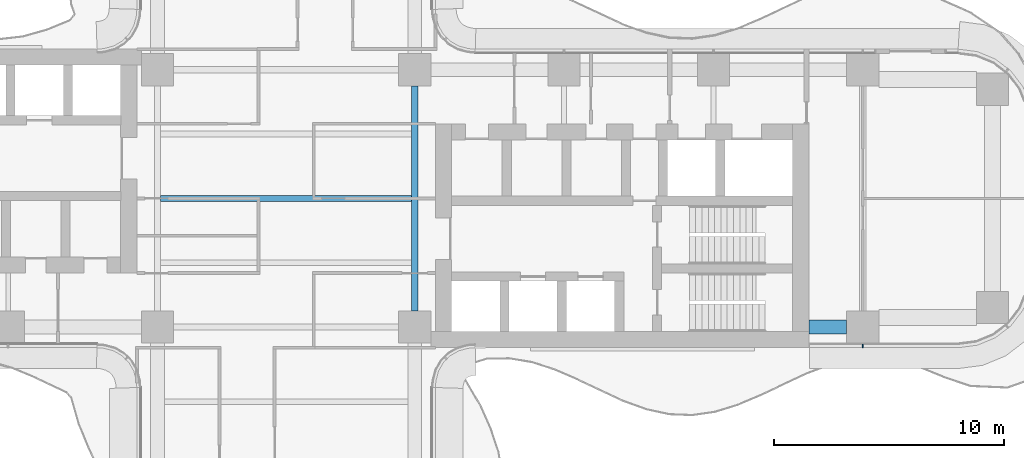
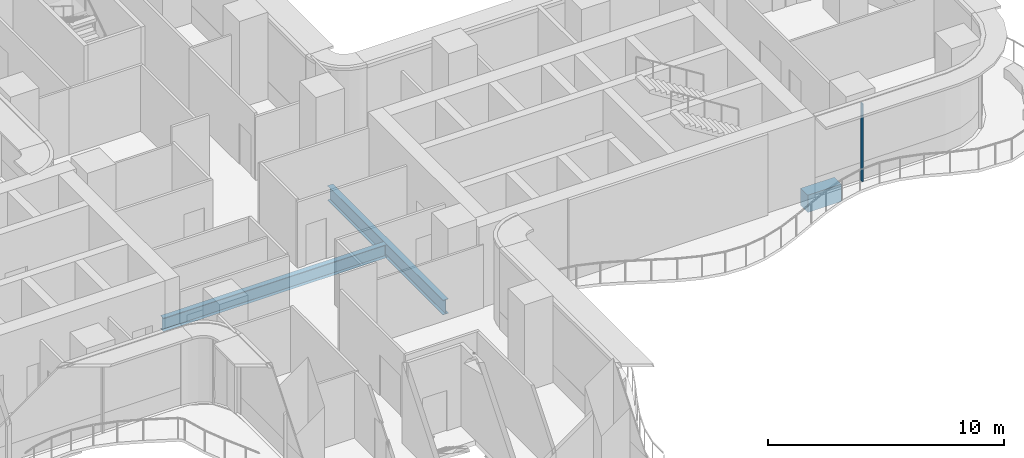
# One storey, part 6 of 22: 3 beams, 1 member, 1 element without a shape of its own.
"""IFC4 building model written with IfcOpenShell, lengths in metres."""

import ifcopenshell
import ifcopenshell.guid

model = None  # the IFC model being written
_history = None  # IfcOwnerHistory: only IFC2X3 demands one
_inside = {}  # id of a spatial element -> (the spatial element, [elements in it])
_under = {}  # id of a project, library or spatial element -> (it, [spatial elements below it])
_declared = {}  # id of a project -> (the project, [libraries it declares])
_typed = {}  # id of a type object -> (the type object, [elements of that type])
_made_of = {}  # id of a material, layer set ... -> (it, [elements and type objects made of it])


def new_model(schema):
    """Start an empty IFC model of exactly this schema.

    Asked for "IFC4X3", IfcOpenShell would pick the latest addendum, in which some entities
    have other attributes; the version numbers below select the first issue.
    IFC2X3 requires an IfcOwnerHistory on every rooted entity: one is made here for all.
    """
    global model, _history
    if schema == "IFC4X3":
        model = ifcopenshell.file(schema_version=(4, 3, 0, 0))
    else:
        model = ifcopenshell.file(schema=schema)
    _inside.clear()
    _under.clear()
    _declared.clear()
    _typed.clear()
    _made_of.clear()
    _history = None
    if model.schema == "IFC2X3":
        org = make("IfcOrganization", Name="unknown")
        user = make(
            "IfcPersonAndOrganization",
            ThePerson=make("IfcPerson", FamilyName="unknown"),
            TheOrganization=org,
        )
        app = make(
            "IfcApplication",
            ApplicationDeveloper=org,
            Version="unknown",
            ApplicationFullName="unknown",
            ApplicationIdentifier="unknown",
        )
        _history = make(
            "IfcOwnerHistory",
            OwningUser=user,
            OwningApplication=app,
            ChangeAction="ADDED",
            CreationDate=0,
        )
    return model


def make(cls, **values):
    """One entity of the class cls with the attributes given. An attribute that is None is left unset."""
    return model.create_entity(
        cls, **{name: value for name, value in values.items() if value is not None}
    )


def rooted(cls, **values):
    """An entity with a GlobalId (a new one), such as an element, a storey or a relation."""
    return make(cls, GlobalId=ifcopenshell.guid.new(), OwnerHistory=_history, **values)


def si_unit(unit_type, name, prefix=None):
    """IfcSIUnit, for example si_unit("LENGTHUNIT", "METRE", prefix="MILLI")."""
    return make("IfcSIUnit", UnitType=unit_type, Prefix=prefix, Name=name)


def assignment(units):
    """IfcUnitAssignment: the units of a project."""
    return None if units is None else make("IfcUnitAssignment", Units=units)


def point(xyz):
    """IfcCartesianPoint."""
    return None if xyz is None else make("IfcCartesianPoint", Coordinates=xyz)


def direction(xyz):
    """IfcDirection."""
    return None if xyz is None else make("IfcDirection", DirectionRatios=xyz)


def frame(location, z_axis=None, x_axis=None):
    """IfcAxis2Placement3D, a coordinate frame: its origin and axes. An axis left out is left unset."""
    return make(
        "IfcAxis2Placement3D",
        Location=point(location),
        Axis=direction(z_axis),
        RefDirection=direction(x_axis),
    )


def frame_2d(location, x_axis=None):
    """IfcAxis2Placement2D, a coordinate frame in the plane: its origin and x axis."""
    return make(
        "IfcAxis2Placement2D", Location=point(location), RefDirection=direction(x_axis)
    )


def origin():
    """The frame at (0, 0, 0) with its axes left unset."""
    return frame((0.0, 0.0, 0.0))


def origin_2d():
    """The frame at (0, 0) in the plane with its x axis left unset."""
    return frame_2d((0.0, 0.0))


def place(relative_to, where):
    """IfcLocalPlacement: puts the frame where relative to a parent placement (None: the world)."""
    return make(
        "IfcLocalPlacement", PlacementRelTo=relative_to, RelativePlacement=where
    )


def context(
    kind, dimensions, precision=None, world=None, true_north=None, identifier=None
):
    """IfcGeometricRepresentationContext, for example the 3D "Model" context."""
    return make(
        "IfcGeometricRepresentationContext",
        ContextIdentifier=identifier,
        ContextType=kind,
        CoordinateSpaceDimension=dimensions,
        Precision=precision,
        WorldCoordinateSystem=world,
        TrueNorth=true_north,
    )


def subcontext(parent, identifier, kind, view, scale=None):
    """IfcGeometricRepresentationSubContext, for example "Body" below "Model"."""
    return make(
        "IfcGeometricRepresentationSubContext",
        ContextIdentifier=identifier,
        ContextType=kind,
        ParentContext=parent,
        TargetScale=scale,
        TargetView=view,
    )


def project(units=None, contexts=None):
    """IfcProject with its units and contexts."""
    return rooted(
        "IfcProject",
        Name="project",
        RepresentationContexts=contexts,
        UnitsInContext=assignment(units),
    )


def spatial(cls, under=None, at=None, **own):
    """A site, building, storey or space (cls), placed at a placement, below another one or the project."""
    s = rooted(cls, ObjectPlacement=at, **own)
    if under is not None:
        _under.setdefault(under.id(), (under, []))[1].append(s)
    return s


def profile(cls, at=None, kind="AREA", **sizes):
    """A parametric profile (cls). Its sizes go by their IFC names, for example OverallWidth=200.0."""
    return make(cls, ProfileType=kind, Position=at, **sizes)


def rectangle(**sizes):
    """IfcRectangleProfileDef."""
    return profile("IfcRectangleProfileDef", **sizes)


def i_section(**sizes):
    """IfcIShapeProfileDef."""
    return profile("IfcIShapeProfileDef", **sizes)


def extrude(swept, where, along, depth):
    """IfcExtrudedAreaSolid: the profile swept, set in the frame where, extruded along a direction by depth."""
    return make(
        "IfcExtrudedAreaSolid",
        SweptArea=swept,
        Position=where,
        ExtrudedDirection=direction(along),
        Depth=depth,
    )


def shape(context_of_items, identifier, shape_type, items):
    """IfcShapeRepresentation: the items that make up one representation, for example the "Body"."""
    return make(
        "IfcShapeRepresentation",
        ContextOfItems=context_of_items,
        RepresentationIdentifier=identifier,
        RepresentationType=shape_type,
        Items=items,
    )


def source(mapping_origin, context_of_items, identifier, shape_type, items):
    """IfcRepresentationMap: a shape defined once, which mapped items show again and again."""
    return make(
        "IfcRepresentationMap",
        MappingOrigin=mapping_origin,
        MappedRepresentation=shape(context_of_items, identifier, shape_type, items),
    )


def transform(
    local_origin,
    x_axis=None,
    y_axis=None,
    z_axis=None,
    scale=None,
    scale2=None,
    scale3=None,
    uniform=True,
):
    """IfcCartesianTransformationOperator3D, or its non-uniform kind. x_axis, y_axis, z_axis: its Axis1, 2, 3."""
    if uniform:
        return make(
            "IfcCartesianTransformationOperator3D",
            Axis1=direction(x_axis),
            Axis2=direction(y_axis),
            LocalOrigin=point(local_origin),
            Scale=scale,
            Axis3=direction(z_axis),
        )
    return make(
        "IfcCartesianTransformationOperator3DnonUniform",
        Axis1=direction(x_axis),
        Axis2=direction(y_axis),
        LocalOrigin=point(local_origin),
        Scale=scale,
        Axis3=direction(z_axis),
        Scale2=scale2,
        Scale3=scale3,
    )


def mapped(mapping_source, mapping_target):
    """IfcMappedItem: shows the shape of a source again, moved by a transform."""
    return make(
        "IfcMappedItem", MappingSource=mapping_source, MappingTarget=mapping_target
    )


def material(Name=None, Category=None):
    """IfcMaterial."""
    return make("IfcMaterial", Name=Name, Category=Category)


def layer(
    of_material, thickness, ventilated=None, Name=None, Category=None, Priority=None
):
    """IfcMaterialLayer: one layer of a wall or slab, of a material (None: an air gap)."""
    return make(
        "IfcMaterialLayer",
        Material=of_material,
        LayerThickness=thickness,
        IsVentilated=ventilated,
        Name=Name,
        Category=Category,
        Priority=Priority,
    )


def layer_set(layers, Name=None):
    """IfcMaterialLayerSet."""
    return make("IfcMaterialLayerSet", MaterialLayers=layers, LayerSetName=Name)


def material_profile(
    of_material, cross_section, Name=None, Category=None, Priority=None
):
    """IfcMaterialProfile: a cross section and its material."""
    return make(
        "IfcMaterialProfile",
        Name=Name,
        Material=of_material,
        Profile=cross_section,
        Priority=Priority,
        Category=Category,
    )


def profile_set(profiles, Name=None, composite=None):
    """IfcMaterialProfileSet."""
    return make(
        "IfcMaterialProfileSet",
        Name=Name,
        MaterialProfiles=profiles,
        CompositeProfile=composite,
    )


def made_of(thing, what):
    """Note that an element or type object is made of a material, layer set ...; save() writes the relation."""
    if what is not None:
        _made_of.setdefault(what.id(), (what, []))[1].append(thing)
    return thing


def type_object(cls, material=None, **own):
    """A type object (cls), such as IfcWallType, which elements share."""
    return made_of(rooted(cls, **own), material)


def element(
    cls,
    number,
    at=None,
    inside=None,
    cuts=None,
    type_object=None,
    material=None,
    context=None,
    identifier="Body",
    shape_type=None,
    held_by="IfcProductDefinitionShape",
    body=None,
    shapes=None,
    **own,
):
    """One element of the class cls, such as IfcWall. Its Tag is "e" and its number.

    at: its placement. inside: the storey or other place that contains it. cuts: it is an
    opening in that element (IfcRelVoidsElement). A single representation is given by context,
    identifier, shape_type and body (its items); several are given by shapes. held_by: the class
    of the entity that holds the representations. save() writes the other relations.
    """
    e = rooted(cls, Tag="e%d" % number, ObjectPlacement=at, **own)
    if body is not None:
        shapes = [shape(context, identifier, shape_type, body)]
    if shapes is not None:
        e.Representation = make(held_by, Representations=shapes)
    if inside is not None:
        _inside.setdefault(inside.id(), (inside, []))[1].append(e)
    if cuts is not None:
        rooted(
            "IfcRelVoidsElement", RelatingBuildingElement=cuts, RelatedOpeningElement=e
        )
    if type_object is not None:
        _typed.setdefault(type_object.id(), (type_object, []))[1].append(e)
    return made_of(e, material)


def aggregate(whole, parts):
    """IfcRelAggregates: a whole, such as a stair, and the parts it consists of."""
    return rooted("IfcRelAggregates", RelatingObject=whole, RelatedObjects=parts)


def save(model, path):
    """Write the relations noted so far, then the file.

    IfcRelAggregates (storeys below a building ...), IfcRelContainedInSpatialStructure (elements
    in a storey), IfcRelDefinesByType, IfcRelAssociatesMaterial and IfcRelDeclares: one each for
    every whole, place, type object, material and project.
    """
    for whole, parts in _under.values():
        aggregate(whole, parts)
    for where, things in _inside.values():
        rooted(
            "IfcRelContainedInSpatialStructure",
            RelatedElements=things,
            RelatingStructure=where,
        )
    for kind, things in _typed.values():
        rooted("IfcRelDefinesByType", RelatedObjects=things, RelatingType=kind)
    for what, things in _made_of.values():
        rooted("IfcRelAssociatesMaterial", RelatedObjects=things, RelatingMaterial=what)
    for by, libraries in _declared.values():
        rooted("IfcRelDeclares", RelatingContext=by, RelatedDefinitions=libraries)
    model.write(path)


model = new_model("IFC4")

# Units and contexts
model_context = context("Model", 3, precision=1e-05, world=origin(), true_north=direction((0.0, 1.0)))
body_context = subcontext(model_context, "Body", "Model", "MODEL_VIEW")
ifc_project = project(units=[si_unit("LENGTHUNIT", "METRE"), si_unit("AREAUNIT", "SQUARE_METRE"), si_unit("VOLUMEUNIT", "CUBIC_METRE"), si_unit("PLANEANGLEUNIT", "RADIAN"), si_unit("MASSUNIT", "GRAM", prefix="KILO")], contexts=[model_context])

# Site, building, storey
site_placement = place(None, origin())
site = spatial("IfcSite", under=ifc_project, at=site_placement, CompositionType="ELEMENT")
building_placement = place(site_placement, origin())
building = spatial("IfcBuilding", under=site, at=building_placement, Name="Trellis Farm Tower", CompositionType="ELEMENT")
storey_placement = place(building_placement, frame((0.0, 0.0, 88.0)))
storey = spatial("IfcBuildingStorey", under=building, at=storey_placement, Name="L18", CompositionType="ELEMENT", Elevation=88.0)

# Beams
ifc_material_1 = material(Name="Steel S355", Category="steel")
ifc_material_profile_1 = material_profile(ifc_material_1, i_section(OverallWidth=0.253662109375, OverallDepth=0.68359375, WebThickness=0.012451171875, FlangeThickness=0.021728515625, FilletRadius=0.01513671875, at=origin_2d()), Name="UB 686x254x140")
ifc_profile_set_1 = profile_set([ifc_material_profile_1], Name="Steel S355")
beam_type_1 = type_object("IfcBeamType", Name="UB 686x254x140 joist", PredefinedType="JOIST", material=ifc_profile_set_1)
shared_shape_1 = source(origin(), body_context, "Body", "SweptSolid", [
    extrude(i_section(OverallWidth=0.253662109375, OverallDepth=0.68359375, WebThickness=0.012451171875, FlangeThickness=0.021728515625, FilletRadius=0.01513671875, at=origin_2d()), origin(), (0.0, 0.0, 1.0), 10.93310546875),
])
beam_1_placement = place(storey_placement, frame((-5.466552734375, 0.0, -0.591796875), z_axis=(1.0, 0.0, 0.0), x_axis=(0.0, 1.0, 0.0)))
element("IfcBeam", 1, at=beam_1_placement, inside=storey, type_object=beam_type_1, Name="Floor beam", PredefinedType="JOIST", context=body_context, shape_type="MappedRepresentation", body=[
    mapped(shared_shape_1, transform((0.0, 0.0, 0.0))),
])
ifc_material_profile_2 = material_profile(ifc_material_1, i_section(OverallWidth=0.2666015625, OverallDepth=0.76220703125, WebThickness=0.014404296875, FlangeThickness=0.021484375, FilletRadius=0.0166015625, at=origin_2d()), Name="UB 762x267x173")
ifc_profile_set_2 = profile_set([ifc_material_profile_2], Name="Steel S355")
beam_type_2 = type_object("IfcBeamType", Name="UB 762x267x173", PredefinedType="BEAM", material=ifc_profile_set_2)
shared_shape_2 = source(origin(), body_context, "Body", "SweptSolid", [
    extrude(i_section(OverallWidth=0.2666015625, OverallDepth=0.76220703125, WebThickness=0.014404296875, FlangeThickness=0.021484375, FilletRadius=0.0166015625, at=origin_2d()), origin(), (0.0, 0.0, 1.0), 9.7998046875),
])
beam_2_placement = place(storey_placement, frame((5.60009765625, -4.89990234375, -0.631103515625), z_axis=(0.0, 1.0, 0.0), x_axis=(-1.0, 0.0, 0.0)))
element("IfcBeam", 2, at=beam_2_placement, inside=storey, type_object=beam_type_2, Name="Girder", PredefinedType="BEAM", context=body_context, shape_type="MappedRepresentation", body=[
    mapped(shared_shape_2, transform((0.0, 0.0, 0.0))),
])
ifc_material_2 = material(Name="Concrete C60/75", Category="concrete")
ifc_material_profile_3 = material_profile(ifc_material_2, rectangle(XDim=0.60009765625, YDim=0.89990234375, at=origin_2d()), Name="RC spandrel beam 600x900 C60/75")
ifc_profile_set_3 = profile_set([ifc_material_profile_3], Name="Concrete C60/75")
beam_type_3 = type_object("IfcBeamType", Name="RC spandrel beam 600x900 C60/75", PredefinedType="SPANDREL", material=ifc_profile_set_3)
shared_shape_3 = source(origin(), body_context, "Body", "SweptSolid", [
    extrude(rectangle(XDim=0.60009765625, YDim=0.89990234375, at=origin_2d()), origin(), (0.0, 0.0, 1.0), 1.64990234375),
])
beam_3_placement = place(storey_placement, frame((22.75, -5.60009765625, -0.699951171875), z_axis=(1.0, 0.0, 0.0), x_axis=(0.0, 1.0, 0.0)))
element("IfcBeam", 3, at=beam_3_placement, inside=storey, type_object=beam_type_3, Name="Girder", PredefinedType="SPANDREL", context=body_context, shape_type="MappedRepresentation", body=[
    mapped(shared_shape_3, transform((0.0, 0.0, 0.0))),
])

# Curtain wall, member
ifc_material_3 = material(Name="Aluminium and glass curtain wall", Category="aluminium")
ifc_layer = layer(ifc_material_3, 0.18994140625)
ifc_layer_set = layer_set([ifc_layer], Name="RIBBON CURTAIN WALL CW1")
curtain_wall_type = type_object("IfcCurtainWallType", Name="RIBBON CURTAIN WALL CW1", PredefinedType="NOTDEFINED", material=ifc_layer_set)
curtain_wall_placement = place(storey_placement, origin())
curtain_wall = element("IfcCurtainWall", 4, at=curtain_wall_placement, inside=storey, type_object=curtain_wall_type, Name="CW1 005", PredefinedType="NOTDEFINED")
ifc_material_4 = material(Name="Aluminium extrusion 6063-T6", Category="aluminium")
ifc_material_profile_4 = material_profile(ifc_material_4, rectangle(XDim=0.06005859375, YDim=0.14990234375, at=origin_2d()), Name="MULLION 60x150")
ifc_profile_set_4 = profile_set([ifc_material_profile_4], Name="Aluminium extrusion 6063-T6")
member_type = type_object("IfcMemberType", Name="CW1 MULLION 60x150", PredefinedType="MULLION", material=ifc_profile_set_4)
shared_shape_4 = source(origin(), body_context, "Body", "SweptSolid", [
    extrude(rectangle(XDim=0.06005859375, YDim=0.14990234375, at=origin_2d()), origin(), (0.0, 0.0, 1.0), 4.02001953125),
])
member_placement = place(storey_placement, frame((25.10009765625, -6.425048828125, 0.0), z_axis=(0.0, 0.0, 1.0), x_axis=(1.0, 0.0, 0.0)))
member = element("IfcMember", 5, at=member_placement, type_object=member_type, Name="MU1 005-01", PredefinedType="MULLION", context=body_context, shape_type="MappedRepresentation", body=[
    mapped(shared_shape_4, transform((0.0, 0.0, 0.0))),
])
aggregate(curtain_wall, [member])

save(model, "model.ifc")
